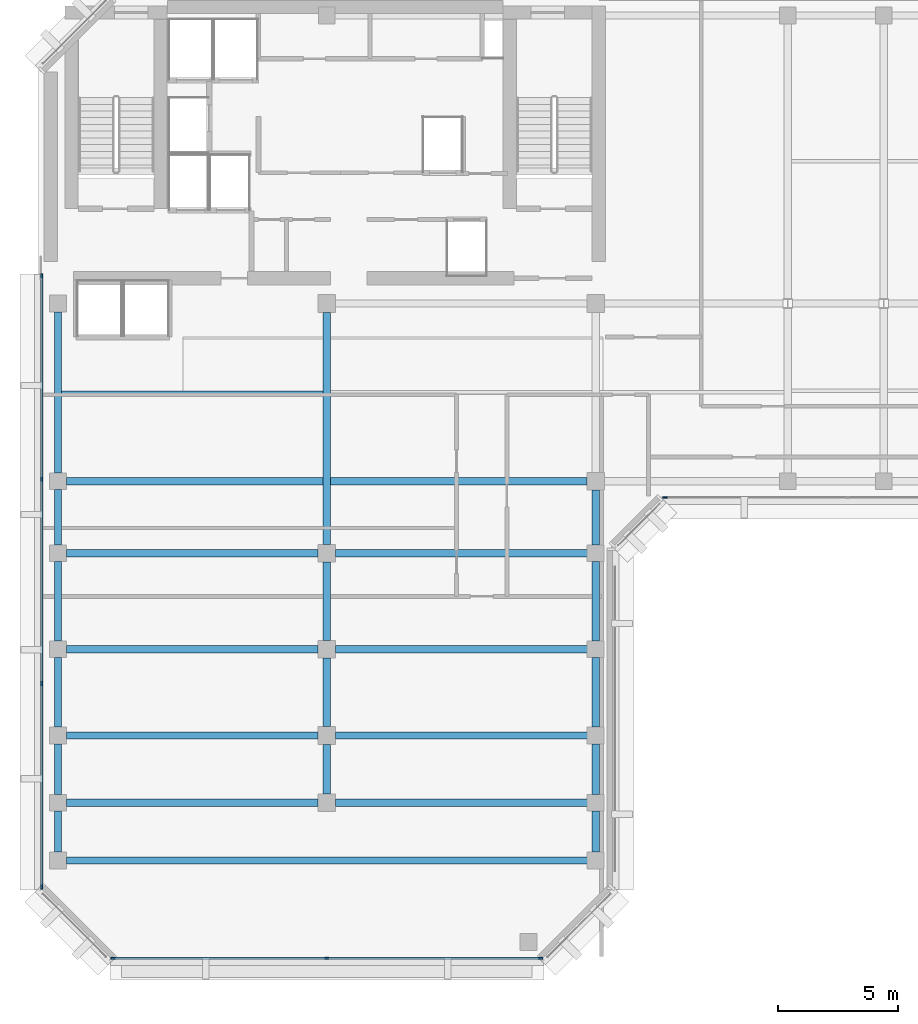
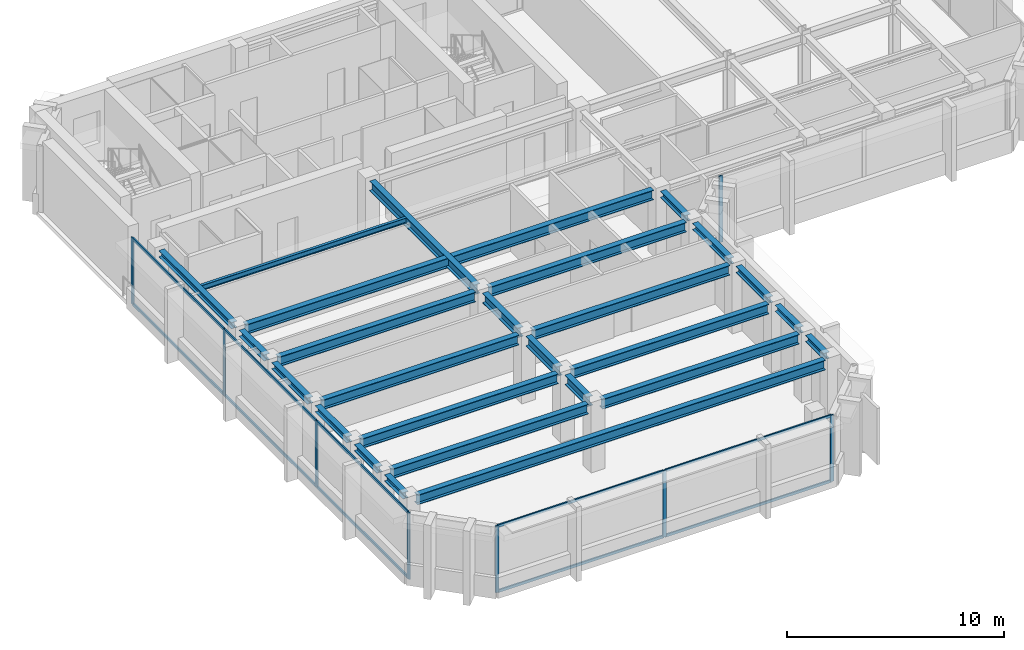
# One storey, part 2 of 11: 26 beams, 18 members, 3 elements without a shape of their own.
"""IFC4 building model written with IfcOpenShell, lengths in metres."""

from ifc_helpers import new_model, si_unit, direction, frame, origin, origin_2d, place, context, subcontext, project, spatial, rectangle, i_section, extrude, material, layer, layer_set, material_profile, profile_set, type_object, element, aggregate, save


model = new_model("IFC4")

# Units and contexts
model_context = context("Model", 3, precision=1e-05, world=origin(), true_north=direction((0.0, 1.0)))
body_context = subcontext(model_context, "Body", "Model", "MODEL_VIEW")
ifc_project = project(units=[si_unit("LENGTHUNIT", "METRE"), si_unit("AREAUNIT", "SQUARE_METRE"), si_unit("VOLUMEUNIT", "CUBIC_METRE"), si_unit("PLANEANGLEUNIT", "RADIAN"), si_unit("MASSUNIT", "GRAM", prefix="KILO")], contexts=[model_context])

# Site, building, storey
site_placement = place(None, origin())
site = spatial("IfcSite", under=ifc_project, at=site_placement, CompositionType="ELEMENT")
building_placement = place(site_placement, origin())
building = spatial("IfcBuilding", under=site, at=building_placement, Name="Kefirva Bronze Tower", CompositionType="ELEMENT")
storey_placement = place(building_placement, frame((0.0, 0.0, 323.72998046875)))
storey = spatial("IfcBuildingStorey", under=building, at=storey_placement, Name="L79", CompositionType="ELEMENT", Elevation=323.72998046875)

# Curtain wall, members
ifc_material_1 = material(Name="Bronze anodised aluminium", Category="aluminium")
ifc_layer = layer(ifc_material_1, 0.179931640625, Name="Bronze anodised aluminium")
ifc_layer_set = layer_set([ifc_layer], Name="Bronze anodised aluminium")
curtain_wall_type = type_object("IfcCurtainWallType", Name="Unitised Bronze Ribbon Curtain Wall Zone 4", PredefinedType="USERDEFINED", material=ifc_layer_set)
curtain_wall_1_placement = place(storey_placement, origin())
curtain_wall_1 = element("IfcCurtainWall", 1, at=curtain_wall_1_placement, inside=storey, type_object=curtain_wall_type, Name="L79 Curtain Wall 1", ObjectType="UNITISED CURTAIN WALL", PredefinedType="USERDEFINED")
ifc_material_profile_1 = material_profile(ifc_material_1, rectangle(XDim=0.074951171875, YDim=0.179931640625, at=origin_2d()), Name="ALU 75x180")
ifc_profile_set_1 = profile_set([ifc_material_profile_1], Name="Bronze anodised aluminium")
member_type_1 = type_object("IfcMemberType", Name="Bronze Mullion 75x180", PredefinedType="MULLION", material=ifc_profile_set_1)
member_1_placement = place(storey_placement, frame((3.092529296875, 5.919921875, 0.0), z_axis=(0.0, 0.0, 1.0), x_axis=(0.0, 1.0, 0.0)))
member_1 = element("IfcMember", 2, at=member_1_placement, type_object=member_type_1, Name="CW-04 mullion 1", PredefinedType="MULLION", context=body_context, shape_type="SweptSolid", body=[
    extrude(rectangle(XDim=0.074951171875, YDim=0.179931640625, at=origin_2d()), origin(), (0.0, 0.0, 1.0), 3.739990234375),
])
member_2_placement = place(storey_placement, frame((12.0, 5.919921875, 0.0), z_axis=(0.0, 0.0, 1.0), x_axis=(0.0, 1.0, 0.0)))
member_2 = element("IfcMember", 3, at=member_2_placement, type_object=member_type_1, Name="CW-04 mullion 2", PredefinedType="MULLION", context=body_context, shape_type="SweptSolid", body=[
    extrude(rectangle(XDim=0.074951171875, YDim=0.179931640625, at=origin_2d()), origin(), (0.0, 0.0, 1.0), 3.739990234375),
])
member_3_placement = place(storey_placement, frame((20.907470703125, 5.919921875, 0.0), z_axis=(0.0, 0.0, 1.0), x_axis=(0.0, 1.0, 0.0)))
member_3 = element("IfcMember", 4, at=member_3_placement, type_object=member_type_1, Name="CW-04 mullion 3", PredefinedType="MULLION", context=body_context, shape_type="SweptSolid", body=[
    extrude(rectangle(XDim=0.074951171875, YDim=0.179931640625, at=origin_2d()), origin(), (0.0, 0.0, 1.0), 3.739990234375),
])

# Curtain wall, member
curtain_wall_2_placement = place(storey_placement, origin())
curtain_wall_2 = element("IfcCurtainWall", 5, at=curtain_wall_2_placement, inside=storey, type_object=curtain_wall_type, Name="L79 Curtain Wall 2", ObjectType="UNITISED CURTAIN WALL", PredefinedType="USERDEFINED")
member_4_placement = place(storey_placement, frame((26.092529296875, 25.1201171875, 0.0), z_axis=(0.0, 0.0, 1.0), x_axis=(0.0, 1.0, 0.0)))
member_4 = element("IfcMember", 6, at=member_4_placement, type_object=member_type_1, Name="CW-04 mullion 1", PredefinedType="MULLION", context=body_context, shape_type="SweptSolid", body=[
    extrude(rectangle(XDim=0.074951171875, YDim=0.179931640625, at=origin_2d()), origin(), (0.0, 0.0, 1.0), 3.739990234375),
])
aggregate(curtain_wall_2, [member_4])

# Curtain wall, members
curtain_wall_3_placement = place(storey_placement, origin())
curtain_wall_3 = element("IfcCurtainWall", 7, at=curtain_wall_3_placement, inside=storey, type_object=curtain_wall_type, Name="L79 Curtain Wall 5", ObjectType="UNITISED CURTAIN WALL", PredefinedType="USERDEFINED")
member_5_placement = place(storey_placement, frame((0.1201171875, 34.357421875, 0.0), z_axis=(0.0, 0.0, 1.0), x_axis=(1.0, 0.0, 0.0)))
member_5 = element("IfcMember", 8, at=member_5_placement, type_object=member_type_1, Name="CW-04 mullion 1", PredefinedType="MULLION", context=body_context, shape_type="SweptSolid", body=[
    extrude(rectangle(XDim=0.074951171875, YDim=0.179931640625, at=origin_2d()), origin(), (0.0, 0.0, 1.0), 3.739990234375),
])
member_6_placement = place(storey_placement, frame((0.1201171875, 25.881591796875, 0.0), z_axis=(0.0, 0.0, 1.0), x_axis=(1.0, 0.0, 0.0)))
member_6 = element("IfcMember", 9, at=member_6_placement, type_object=member_type_1, Name="CW-04 mullion 2", PredefinedType="MULLION", context=body_context, shape_type="SweptSolid", body=[
    extrude(rectangle(XDim=0.074951171875, YDim=0.179931640625, at=origin_2d()), origin(), (0.0, 0.0, 1.0), 3.739990234375),
])
member_7_placement = place(storey_placement, frame((0.1201171875, 17.368408203125, 0.0), z_axis=(0.0, 0.0, 1.0), x_axis=(1.0, 0.0, 0.0)))
member_7 = element("IfcMember", 10, at=member_7_placement, type_object=member_type_1, Name="CW-04 mullion 3", PredefinedType="MULLION", context=body_context, shape_type="SweptSolid", body=[
    extrude(rectangle(XDim=0.074951171875, YDim=0.179931640625, at=origin_2d()), origin(), (0.0, 0.0, 1.0), 3.739990234375),
])
member_8_placement = place(storey_placement, frame((0.1201171875, 8.892578125, 0.0), z_axis=(0.0, 0.0, 1.0), x_axis=(1.0, 0.0, 0.0)))
member_8 = element("IfcMember", 11, at=member_8_placement, type_object=member_type_1, Name="CW-04 mullion 4", PredefinedType="MULLION", context=body_context, shape_type="SweptSolid", body=[
    extrude(rectangle(XDim=0.074951171875, YDim=0.179931640625, at=origin_2d()), origin(), (0.0, 0.0, 1.0), 3.739990234375),
])

# Member
ifc_material_profile_2 = material_profile(ifc_material_1, rectangle(XDim=0.074951171875, YDim=0.14990234375, at=origin_2d()), Name="ALU 75x150")
ifc_profile_set_2 = profile_set([ifc_material_profile_2], Name="Bronze anodised aluminium")
member_type_2 = type_object("IfcMemberType", Name="Bronze Transom 75x150", PredefinedType="USERDEFINED", material=ifc_profile_set_2)
member_9_placement = place(storey_placement, frame((3.1298828125, 5.919921875, 0.03759765625), z_axis=(1.0, 0.0, 0.0), x_axis=(0.0, 1.0, 0.0)))
member_9 = element("IfcMember", 12, at=member_9_placement, type_object=member_type_2, Name="CW-04 transom 1.1", ObjectType="TRANSOM", PredefinedType="USERDEFINED", context=body_context, shape_type="SweptSolid", body=[
    extrude(rectangle(XDim=0.074951171875, YDim=0.14990234375, at=origin_2d()), origin(), (0.0, 0.0, 1.0), 8.83251953125),
])

member_10_placement = place(storey_placement, frame((3.1298828125, 5.919921875, 3.70263671875), z_axis=(1.0, 0.0, 0.0), x_axis=(0.0, 1.0, 0.0)))
member_10 = element("IfcMember", 13, at=member_10_placement, type_object=member_type_2, Name="CW-04 transom 1.2", ObjectType="TRANSOM", PredefinedType="USERDEFINED", context=body_context, shape_type="SweptSolid", body=[
    extrude(rectangle(XDim=0.074951171875, YDim=0.14990234375, at=origin_2d()), origin(), (0.0, 0.0, 1.0), 8.83251953125),
])

member_11_placement = place(storey_placement, frame((12.03759765625, 5.919921875, 0.03759765625), z_axis=(1.0, 0.0, 0.0), x_axis=(0.0, 1.0, 0.0)))
member_11 = element("IfcMember", 14, at=member_11_placement, type_object=member_type_2, Name="CW-04 transom 2.1", ObjectType="TRANSOM", PredefinedType="USERDEFINED", context=body_context, shape_type="SweptSolid", body=[
    extrude(rectangle(XDim=0.074951171875, YDim=0.14990234375, at=origin_2d()), origin(), (0.0, 0.0, 1.0), 8.83251953125),
])

member_12_placement = place(storey_placement, frame((12.03759765625, 5.919921875, 3.70263671875), z_axis=(1.0, 0.0, 0.0), x_axis=(0.0, 1.0, 0.0)))
member_12 = element("IfcMember", 15, at=member_12_placement, type_object=member_type_2, Name="CW-04 transom 2.2", ObjectType="TRANSOM", PredefinedType="USERDEFINED", context=body_context, shape_type="SweptSolid", body=[
    extrude(rectangle(XDim=0.074951171875, YDim=0.14990234375, at=origin_2d()), origin(), (0.0, 0.0, 1.0), 8.83251953125),
])

aggregate(curtain_wall_1, [member_1, member_2, member_3, member_9, member_10, member_11, member_12])

member_13_placement = place(storey_placement, frame((0.1201171875, 34.320068359375, 0.03759765625), z_axis=(0.0, -1.0, 0.0), x_axis=(1.0, 0.0, 0.0)))
member_13 = element("IfcMember", 16, at=member_13_placement, type_object=member_type_2, Name="CW-04 transom 1.1", ObjectType="TRANSOM", PredefinedType="USERDEFINED", context=body_context, shape_type="SweptSolid", body=[
    extrude(rectangle(XDim=0.074951171875, YDim=0.14990234375, at=origin_2d()), origin(), (0.0, 0.0, 1.0), 8.40087890625),
])

member_14_placement = place(storey_placement, frame((0.1201171875, 34.320068359375, 3.70263671875), z_axis=(0.0, -1.0, 0.0), x_axis=(1.0, 0.0, 0.0)))
member_14 = element("IfcMember", 17, at=member_14_placement, type_object=member_type_2, Name="CW-04 transom 1.2", ObjectType="TRANSOM", PredefinedType="USERDEFINED", context=body_context, shape_type="SweptSolid", body=[
    extrude(rectangle(XDim=0.074951171875, YDim=0.14990234375, at=origin_2d()), origin(), (0.0, 0.0, 1.0), 8.40087890625),
])

member_15_placement = place(storey_placement, frame((0.1201171875, 25.84423828125, 0.03759765625), z_axis=(0.0, -1.0, 0.0), x_axis=(1.0, 0.0, 0.0)))
member_15 = element("IfcMember", 18, at=member_15_placement, type_object=member_type_2, Name="CW-04 transom 2.1", ObjectType="TRANSOM", PredefinedType="USERDEFINED", context=body_context, shape_type="SweptSolid", body=[
    extrude(rectangle(XDim=0.074951171875, YDim=0.14990234375, at=origin_2d()), origin(), (0.0, 0.0, 1.0), 8.4384765625),
])

member_16_placement = place(storey_placement, frame((0.1201171875, 25.84423828125, 3.70263671875), z_axis=(0.0, -1.0, 0.0), x_axis=(1.0, 0.0, 0.0)))
member_16 = element("IfcMember", 19, at=member_16_placement, type_object=member_type_2, Name="CW-04 transom 2.2", ObjectType="TRANSOM", PredefinedType="USERDEFINED", context=body_context, shape_type="SweptSolid", body=[
    extrude(rectangle(XDim=0.074951171875, YDim=0.14990234375, at=origin_2d()), origin(), (0.0, 0.0, 1.0), 8.4384765625),
])

member_17_placement = place(storey_placement, frame((0.1201171875, 17.330810546875, 0.03759765625), z_axis=(0.0, -1.0, 0.0), x_axis=(1.0, 0.0, 0.0)))
member_17 = element("IfcMember", 20, at=member_17_placement, type_object=member_type_2, Name="CW-04 transom 3.1", ObjectType="TRANSOM", PredefinedType="USERDEFINED", context=body_context, shape_type="SweptSolid", body=[
    extrude(rectangle(XDim=0.074951171875, YDim=0.14990234375, at=origin_2d()), origin(), (0.0, 0.0, 1.0), 8.40087890625),
])

member_18_placement = place(storey_placement, frame((0.1201171875, 17.330810546875, 3.70263671875), z_axis=(0.0, -1.0, 0.0), x_axis=(1.0, 0.0, 0.0)))
member_18 = element("IfcMember", 21, at=member_18_placement, type_object=member_type_2, Name="CW-04 transom 3.2", ObjectType="TRANSOM", PredefinedType="USERDEFINED", context=body_context, shape_type="SweptSolid", body=[
    extrude(rectangle(XDim=0.074951171875, YDim=0.14990234375, at=origin_2d()), origin(), (0.0, 0.0, 1.0), 8.40087890625),
])

aggregate(curtain_wall_3, [member_5, member_6, member_7, member_8, member_13, member_14, member_15, member_16, member_17, member_18])

# Beams
ifc_material_2 = material(Name="Steel S355", Category="steel")
ifc_material_profile_3 = material_profile(ifc_material_2, i_section(OverallWidth=0.14990234375, OverallDepth=0.300048828125, WebThickness=0.007080078125, FlangeThickness=0.0107421875, at=origin_2d()), Name="IPE 300")
ifc_profile_set_3 = profile_set([ifc_material_profile_3], Name="Steel S355")
beam_type_1 = type_object("IfcBeamType", Name="Steel Floor Joist IPE 300", PredefinedType="JOIST", material=ifc_profile_set_3)
beam_1_placement = place(storey_placement, frame((0.949951171875, 29.489990234375, 3.590087890625), z_axis=(1.0, 0.0, 0.0), x_axis=(0.0, 1.0, 0.0)))
element("IfcBeam", 22, at=beam_1_placement, inside=storey, type_object=beam_type_1, Name="L79 JST-L79-0-294", PredefinedType="JOIST", context=body_context, shape_type="SweptSolid", body=[
    extrude(i_section(OverallWidth=0.14990234375, OverallDepth=0.300048828125, WebThickness=0.007080078125, FlangeThickness=0.0107421875, at=origin_2d()), origin(), (0.0, 0.0, 1.0), 10.900146484375),
])
ifc_material_profile_4 = material_profile(ifc_material_2, i_section(OverallWidth=0.300048828125, OverallDepth=0.550048828125, WebThickness=0.014892578125, FlangeThickness=0.029052734375, at=origin_2d()), Name="HEB 550")
ifc_profile_set_4 = profile_set([ifc_material_profile_4], Name="Steel S355")
beam_type_2 = type_object("IfcBeamType", Name="Steel Girder HEB 550", PredefinedType="USERDEFINED", material=ifc_profile_set_4)
beam_2_placement = place(storey_placement, frame((1.14990234375, 10.0, 3.465087890625), z_axis=(1.0, 0.0, 0.0), x_axis=(0.0, 1.0, 0.0)))
element("IfcBeam", 23, at=beam_2_placement, inside=storey, type_object=beam_type_2, Name="L79 BM-L79-EW-0-100", ObjectType="GIRDER", PredefinedType="USERDEFINED", context=body_context, shape_type="SweptSolid", body=[
    extrude(i_section(OverallWidth=0.300048828125, OverallDepth=0.550048828125, WebThickness=0.014892578125, FlangeThickness=0.029052734375, at=origin_2d()), origin(), (0.0, 0.0, 1.0), 21.7001953125),
])
for number, where, z_axis, x_axis, name in (
    (24, (1.14990234375, 12.39990234375, 3.465087890625), (1.0, 0.0, 0.0), (0.0, 1.0, 0.0), "L79 BM-L79-EW-0-124"),
    (25, (12.3701171875, 12.39990234375, 3.465087890625), (1.0, 0.0, 0.0), (0.0, 1.0, 0.0), "L79 BM-L79-EW-12-124"),
    (26, (1.14990234375, 15.199951171875, 3.465087890625), (1.0, 0.0, 0.0), (0.0, 1.0, 0.0), "L79 BM-L79-EW-0-152"),
    (27, (12.3701171875, 15.199951171875, 3.465087890625), (1.0, 0.0, 0.0), (0.0, 1.0, 0.0), "L79 BM-L79-EW-12-152"),
    (28, (1.14990234375, 18.800048828125, 3.465087890625), (1.0, 0.0, 0.0), (0.0, 1.0, 0.0), "L79 BM-L79-EW-0-188"),
    (29, (12.3701171875, 18.800048828125, 3.465087890625), (1.0, 0.0, 0.0), (0.0, 1.0, 0.0), "L79 BM-L79-EW-12-188"),
    (30, (1.14990234375, 22.800048828125, 3.465087890625), (1.0, 0.0, 0.0), (0.0, 1.0, 0.0), "L79 BM-L79-EW-0-228"),
    (31, (12.3701171875, 22.800048828125, 3.465087890625), (1.0, 0.0, 0.0), (0.0, 1.0, 0.0), "L79 BM-L79-EW-12-228"),
):
    element("IfcBeam", number, at=place(storey_placement, frame(where, z_axis=z_axis, x_axis=x_axis)), inside=storey, type_object=beam_type_2, Name=name, ObjectType="GIRDER", PredefinedType="USERDEFINED", context=body_context, shape_type="SweptSolid", body=[
        extrude(i_section(OverallWidth=0.300048828125, OverallDepth=0.550048828125, WebThickness=0.014892578125, FlangeThickness=0.029052734375, at=origin_2d()), origin(), (0.0, 0.0, 1.0), 10.47998046875),
    ])
beam_3_placement = place(storey_placement, frame((1.14990234375, 25.800048828125, 3.465087890625), z_axis=(1.0, 0.0, 0.0), x_axis=(0.0, 1.0, 0.0)))
element("IfcBeam", 32, at=beam_3_placement, inside=storey, type_object=beam_type_2, Name="L79 BM-L79-EW-0-258", ObjectType="GIRDER", PredefinedType="USERDEFINED", context=body_context, shape_type="SweptSolid", body=[
    extrude(i_section(OverallWidth=0.300048828125, OverallDepth=0.550048828125, WebThickness=0.014892578125, FlangeThickness=0.029052734375, at=origin_2d()), origin(), (0.0, 0.0, 1.0), 21.68017578125),
])
beam_4_placement = place(storey_placement, frame((12.0, 12.77001953125, 3.465087890625), z_axis=(0.0, 1.0, 0.0), x_axis=(-1.0, 0.0, 0.0)))
element("IfcBeam", 33, at=beam_4_placement, inside=storey, type_object=beam_type_2, Name="L79 BM-L79-NS-120-12", ObjectType="GIRDER", PredefinedType="USERDEFINED", context=body_context, shape_type="SweptSolid", body=[
    extrude(i_section(OverallWidth=0.300048828125, OverallDepth=0.550048828125, WebThickness=0.014892578125, FlangeThickness=0.029052734375, at=origin_2d()), origin(), (0.0, 0.0, 1.0), 2.06005859375),
])
beam_5_placement = place(storey_placement, frame((12.0, 15.570068359375, 3.465087890625), z_axis=(0.0, 1.0, 0.0), x_axis=(-1.0, 0.0, 0.0)))
element("IfcBeam", 34, at=beam_5_placement, inside=storey, type_object=beam_type_2, Name="L79 BM-L79-NS-120-15", ObjectType="GIRDER", PredefinedType="USERDEFINED", context=body_context, shape_type="SweptSolid", body=[
    extrude(i_section(OverallWidth=0.300048828125, OverallDepth=0.550048828125, WebThickness=0.014892578125, FlangeThickness=0.029052734375, at=origin_2d()), origin(), (0.0, 0.0, 1.0), 2.85986328125),
])
beam_6_placement = place(storey_placement, frame((12.0, 19.169921875, 3.465087890625), z_axis=(0.0, 1.0, 0.0), x_axis=(-1.0, 0.0, 0.0)))
element("IfcBeam", 35, at=beam_6_placement, inside=storey, type_object=beam_type_2, Name="L79 BM-L79-NS-120-18", ObjectType="GIRDER", PredefinedType="USERDEFINED", context=body_context, shape_type="SweptSolid", body=[
    extrude(i_section(OverallWidth=0.300048828125, OverallDepth=0.550048828125, WebThickness=0.014892578125, FlangeThickness=0.029052734375, at=origin_2d()), origin(), (0.0, 0.0, 1.0), 3.260009765625),
])
beam_7_placement = place(storey_placement, frame((12.0, 23.169921875, 3.465087890625), z_axis=(0.0, 1.0, 0.0), x_axis=(-1.0, 0.0, 0.0)))
element("IfcBeam", 36, at=beam_7_placement, inside=storey, type_object=beam_type_2, Name="L79 BM-L79-NS-120-22", ObjectType="GIRDER", PredefinedType="USERDEFINED", context=body_context, shape_type="SweptSolid", body=[
    extrude(i_section(OverallWidth=0.300048828125, OverallDepth=0.550048828125, WebThickness=0.014892578125, FlangeThickness=0.029052734375, at=origin_2d()), origin(), (0.0, 0.0, 1.0), 9.66015625),
])
ifc_material_profile_5 = material_profile(ifc_material_2, i_section(OverallWidth=0.300048828125, OverallDepth=0.360107421875, WebThickness=0.012451171875, FlangeThickness=0.0224609375, at=origin_2d()), Name="HEB 360")
ifc_profile_set_5 = profile_set([ifc_material_profile_5], Name="Steel S355")
beam_type_3 = type_object("IfcBeamType", Name="Steel Spandrel HEB 360 Ext", PredefinedType="SPANDREL", material=ifc_profile_set_5)
beam_8_placement = place(storey_placement, frame((0.800048828125, 10.35009765625, 3.56005859375), z_axis=(0.0, 1.0, 0.0), x_axis=(-1.0, 0.0, 0.0)))
element("IfcBeam", 37, at=beam_8_placement, inside=storey, type_object=beam_type_3, Name="L79 BM-L79-NS-8-10", PredefinedType="SPANDREL", context=body_context, shape_type="SweptSolid", body=[
    extrude(i_section(OverallWidth=0.300048828125, OverallDepth=0.360107421875, WebThickness=0.012451171875, FlangeThickness=0.0224609375, at=origin_2d()), origin(), (0.0, 0.0, 1.0), 1.699951171875),
])
beam_9_placement = place(storey_placement, frame((0.800048828125, 12.75, 3.56005859375), z_axis=(0.0, 1.0, 0.0), x_axis=(-1.0, 0.0, 0.0)))
element("IfcBeam", 38, at=beam_9_placement, inside=storey, type_object=beam_type_3, Name="L79 BM-L79-NS-8-12", PredefinedType="SPANDREL", context=body_context, shape_type="SweptSolid", body=[
    extrude(i_section(OverallWidth=0.300048828125, OverallDepth=0.360107421875, WebThickness=0.012451171875, FlangeThickness=0.0224609375, at=origin_2d()), origin(), (0.0, 0.0, 1.0), 2.10009765625),
])
beam_10_placement = place(storey_placement, frame((0.800048828125, 15.550048828125, 3.56005859375), z_axis=(0.0, 1.0, 0.0), x_axis=(-1.0, 0.0, 0.0)))
element("IfcBeam", 39, at=beam_10_placement, inside=storey, type_object=beam_type_3, Name="L79 BM-L79-NS-8-15", PredefinedType="SPANDREL", context=body_context, shape_type="SweptSolid", body=[
    extrude(i_section(OverallWidth=0.300048828125, OverallDepth=0.360107421875, WebThickness=0.012451171875, FlangeThickness=0.0224609375, at=origin_2d()), origin(), (0.0, 0.0, 1.0), 2.89990234375),
])
beam_11_placement = place(storey_placement, frame((0.800048828125, 19.14990234375, 3.56005859375), z_axis=(0.0, 1.0, 0.0), x_axis=(-1.0, 0.0, 0.0)))
element("IfcBeam", 40, at=beam_11_placement, inside=storey, type_object=beam_type_3, Name="L79 BM-L79-NS-8-18", PredefinedType="SPANDREL", context=body_context, shape_type="SweptSolid", body=[
    extrude(i_section(OverallWidth=0.300048828125, OverallDepth=0.360107421875, WebThickness=0.012451171875, FlangeThickness=0.0224609375, at=origin_2d()), origin(), (0.0, 0.0, 1.0), 3.300048828125),
])
beam_12_placement = place(storey_placement, frame((0.800048828125, 23.14990234375, 3.56005859375), z_axis=(0.0, 1.0, 0.0), x_axis=(-1.0, 0.0, 0.0)))
element("IfcBeam", 41, at=beam_12_placement, inside=storey, type_object=beam_type_3, Name="L79 BM-L79-NS-8-22", PredefinedType="SPANDREL", context=body_context, shape_type="SweptSolid", body=[
    extrude(i_section(OverallWidth=0.300048828125, OverallDepth=0.360107421875, WebThickness=0.012451171875, FlangeThickness=0.0224609375, at=origin_2d()), origin(), (0.0, 0.0, 1.0), 2.300048828125),
])
beam_13_placement = place(storey_placement, frame((0.800048828125, 26.14990234375, 3.56005859375), z_axis=(0.0, 1.0, 0.0), x_axis=(-1.0, 0.0, 0.0)))
element("IfcBeam", 42, at=beam_13_placement, inside=storey, type_object=beam_type_3, Name="L79 BM-L79-NS-8-25", PredefinedType="SPANDREL", context=body_context, shape_type="SweptSolid", body=[
    extrude(i_section(OverallWidth=0.300048828125, OverallDepth=0.360107421875, WebThickness=0.012451171875, FlangeThickness=0.0224609375, at=origin_2d()), origin(), (0.0, 0.0, 1.0), 6.7001953125),
])
beam_14_placement = place(storey_placement, frame((23.199951171875, 10.35009765625, 3.56005859375), z_axis=(0.0, 1.0, 0.0), x_axis=(-1.0, 0.0, 0.0)))
element("IfcBeam", 43, at=beam_14_placement, inside=storey, type_object=beam_type_3, Name="L79 BM-L79-NS-232-10", PredefinedType="SPANDREL", context=body_context, shape_type="SweptSolid", body=[
    extrude(i_section(OverallWidth=0.300048828125, OverallDepth=0.360107421875, WebThickness=0.012451171875, FlangeThickness=0.0224609375, at=origin_2d()), origin(), (0.0, 0.0, 1.0), 1.699951171875),
])
beam_15_placement = place(storey_placement, frame((23.199951171875, 12.75, 3.56005859375), z_axis=(0.0, 1.0, 0.0), x_axis=(-1.0, 0.0, 0.0)))
element("IfcBeam", 44, at=beam_15_placement, inside=storey, type_object=beam_type_3, Name="L79 BM-L79-NS-232-12", PredefinedType="SPANDREL", context=body_context, shape_type="SweptSolid", body=[
    extrude(i_section(OverallWidth=0.300048828125, OverallDepth=0.360107421875, WebThickness=0.012451171875, FlangeThickness=0.0224609375, at=origin_2d()), origin(), (0.0, 0.0, 1.0), 2.10009765625),
])
beam_16_placement = place(storey_placement, frame((23.199951171875, 15.550048828125, 3.56005859375), z_axis=(0.0, 1.0, 0.0), x_axis=(-1.0, 0.0, 0.0)))
element("IfcBeam", 45, at=beam_16_placement, inside=storey, type_object=beam_type_3, Name="L79 BM-L79-NS-232-15", PredefinedType="SPANDREL", context=body_context, shape_type="SweptSolid", body=[
    extrude(i_section(OverallWidth=0.300048828125, OverallDepth=0.360107421875, WebThickness=0.012451171875, FlangeThickness=0.0224609375, at=origin_2d()), origin(), (0.0, 0.0, 1.0), 2.89990234375),
])
beam_17_placement = place(storey_placement, frame((23.199951171875, 19.14990234375, 3.56005859375), z_axis=(0.0, 1.0, 0.0), x_axis=(-1.0, 0.0, 0.0)))
element("IfcBeam", 46, at=beam_17_placement, inside=storey, type_object=beam_type_3, Name="L79 BM-L79-NS-232-18", PredefinedType="SPANDREL", context=body_context, shape_type="SweptSolid", body=[
    extrude(i_section(OverallWidth=0.300048828125, OverallDepth=0.360107421875, WebThickness=0.012451171875, FlangeThickness=0.0224609375, at=origin_2d()), origin(), (0.0, 0.0, 1.0), 3.300048828125),
])
beam_18_placement = place(storey_placement, frame((23.199951171875, 23.14990234375, 3.56005859375), z_axis=(0.0, 1.0, 0.0), x_axis=(-1.0, 0.0, 0.0)))
element("IfcBeam", 47, at=beam_18_placement, inside=storey, type_object=beam_type_3, Name="L79 BM-L79-NS-232-22", PredefinedType="SPANDREL", context=body_context, shape_type="SweptSolid", body=[
    extrude(i_section(OverallWidth=0.300048828125, OverallDepth=0.360107421875, WebThickness=0.012451171875, FlangeThickness=0.0224609375, at=origin_2d()), origin(), (0.0, 0.0, 1.0), 2.280029296875),
])

save(model, "model.ifc")
